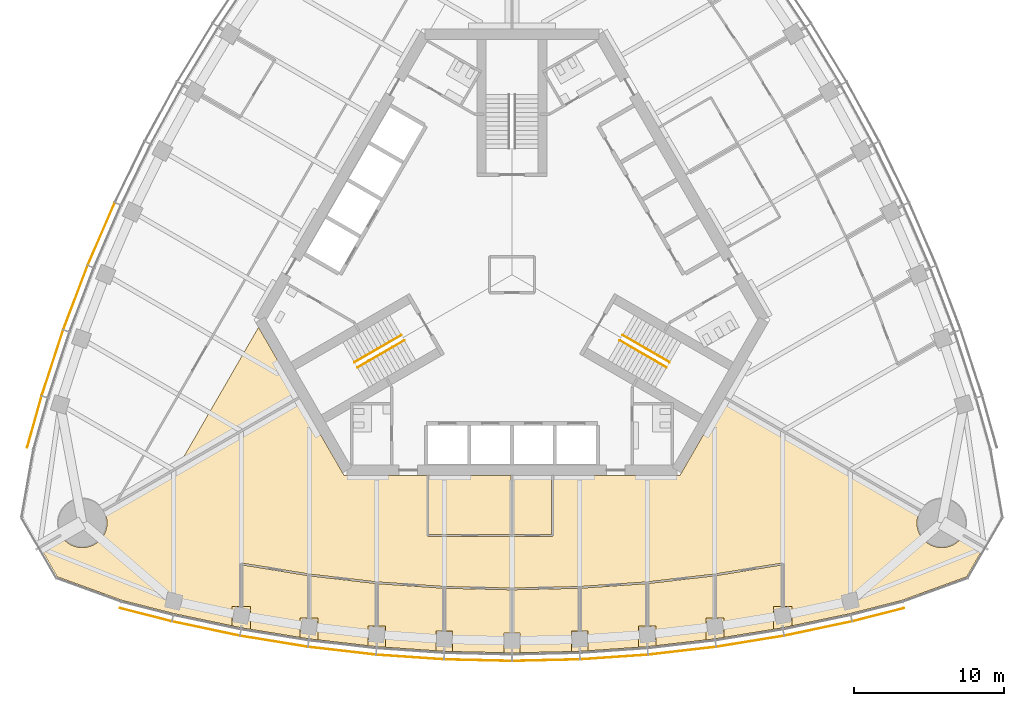
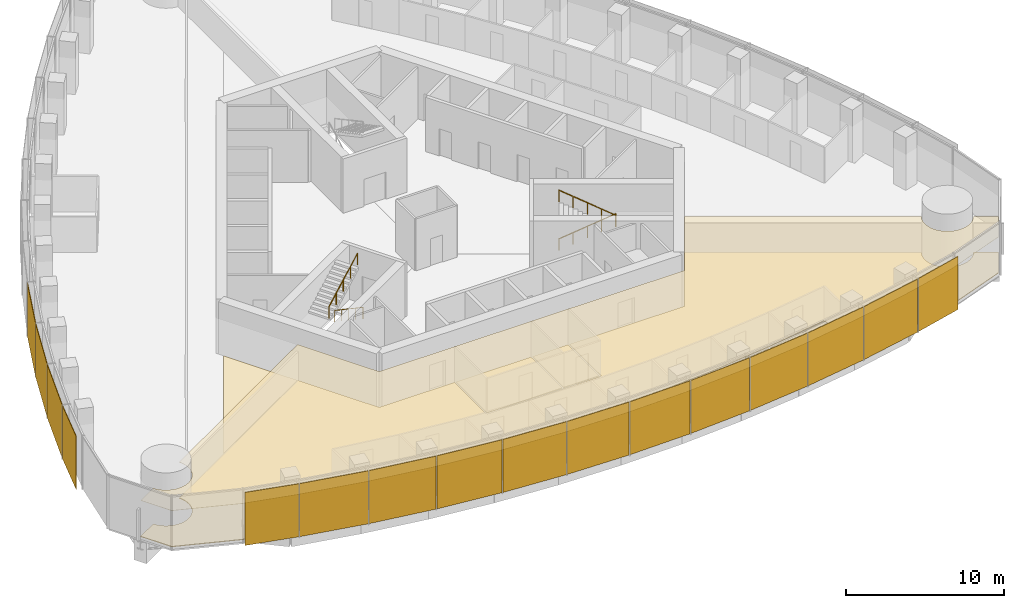
# One storey, part 16 of 20: 16 shading devices, 13 coverings, 4 railings.
"""IFC4 building model written with IfcOpenShell, lengths in metres."""

from ifc_helpers import new_model, si_unit, direction, frame, origin, origin_2d, place, context, subcontext, project, spatial, polyline, rectangle, circle, outline, extrude, material, layer, layer_set, type_object, element, save


model = new_model("IFC4")

# Units and contexts
model_context = context("Model", 3, precision=1e-05, world=origin(), true_north=direction((0.0, 1.0)))
body_context = subcontext(model_context, "Body", "Model", "MODEL_VIEW")
ifc_project = project(units=[si_unit("LENGTHUNIT", "METRE"), si_unit("AREAUNIT", "SQUARE_METRE"), si_unit("VOLUMEUNIT", "CUBIC_METRE"), si_unit("PLANEANGLEUNIT", "RADIAN"), si_unit("MASSUNIT", "GRAM", prefix="KILO")], contexts=[model_context])

# Site, building, storey
site_placement = place(None, origin())
site = spatial("IfcSite", under=ifc_project, at=site_placement, CompositionType="ELEMENT")
building_placement = place(site_placement, origin())
building = spatial("IfcBuilding", under=site, at=building_placement, Name="Trefoil Bronze Tower", CompositionType="ELEMENT")
storey_placement = place(building_placement, frame((0.0, 0.0, 231.699951171875)))
storey = spatial("IfcBuildingStorey", under=building, at=storey_placement, Name="L53", CompositionType="ELEMENT", Elevation=231.699951171875)

# Shading devices
ifc_material_1 = material(Name="Perforated bronze sheet", Category="bronze")
ifc_layer_1 = layer(ifc_material_1, 0.0400390625)
ifc_layer_set_1 = layer_set([ifc_layer_1], Name="Bronze solar screen panel")
shading_device_type = type_object("IfcShadingDeviceType", Name="Bronze solar screen panel", PredefinedType="SHUTTER", material=ifc_layer_set_1)
shading_device_1_placement = place(storey_placement, frame((-24.360107421875, -22.614501953125, 0.050048828125), z_axis=(0.0, 0.0, 1.0), x_axis=(0.968934035393, -0.247319297786, 0.0)))
element("IfcShadingDevice", 1, at=shading_device_1_placement, inside=storey, type_object=shading_device_type, Name="Solar screen CW-A L53 F1 bay 1", PredefinedType="SHUTTER", context=body_context, shape_type="SweptSolid", body=[
    extrude(rectangle(XDim=3.53369140625, YDim=0.0400390625, at=origin_2d()), origin(), (0.0, 0.0, 1.0), 4.10009765625),
])
shading_device_2_placement = place(storey_placement, frame((-20.361572265625, -23.535888671875, 0.050048828125), z_axis=(0.0, 0.0, 1.0), x_axis=(0.978394335897, -0.20674748725, 0.0)))
element("IfcShadingDevice", 2, at=shading_device_2_placement, inside=storey, type_object=shading_device_type, Name="Solar screen CW-A L53 F1 bay 2", PredefinedType="SHUTTER", context=body_context, shape_type="SweptSolid", body=[
    extrude(rectangle(XDim=4.5693359375, YDim=0.0400390625, at=origin_2d()), origin(), (0.0, 0.0, 1.0), 4.10009765625),
])
shading_device_3_placement = place(storey_placement, frame((-15.8369140625, -24.382568359375, 0.050048828125), z_axis=(0.0, 0.0, 1.0), x_axis=(0.986986549528, -0.160802832848, 0.0)))
element("IfcShadingDevice", 3, at=shading_device_3_placement, inside=storey, type_object=shading_device_type, Name="Solar screen CW-A L53 F1 bay 3", PredefinedType="SHUTTER", context=body_context, shape_type="SweptSolid", body=[
    extrude(rectangle(XDim=4.529296875, YDim=0.0400390625, at=origin_2d()), origin(), (0.0, 0.0, 1.0), 4.10009765625),
])
shading_device_4_placement = place(storey_placement, frame((-11.31201171875, -25.0126953125, 0.050048828125), z_axis=(0.0, 0.0, 1.0), x_axis=(0.993381831741, -0.114858767043, 0.0)))
element("IfcShadingDevice", 4, at=shading_device_4_placement, inside=storey, type_object=shading_device_type, Name="Solar screen CW-A L53 F1 bay 4", PredefinedType="SHUTTER", context=body_context, shape_type="SweptSolid", body=[
    extrude(rectangle(XDim=4.5, YDim=0.0400390625, at=origin_2d()), origin(), (0.0, 0.0, 1.0), 4.10009765625),
])
shading_device_5_placement = place(storey_placement, frame((-6.787109375, -25.430419921875, 0.050048828125), z_axis=(0.0, 0.0, 1.0), x_axis=(0.99762252804, -0.068915103905, 0.0)))
element("IfcShadingDevice", 5, at=shading_device_5_placement, inside=storey, type_object=shading_device_type, Name="Solar screen CW-A L53 F1 bay 5", PredefinedType="SHUTTER", context=body_context, shape_type="SweptSolid", body=[
    extrude(rectangle(XDim=4.480712890625, YDim=0.0400390625, at=origin_2d()), origin(), (0.0, 0.0, 1.0), 4.10009765625),
])
for number, where, z_axis, x_axis, name in (
    (6, (-2.262451171875, -25.638671875, 0.050048828125), (0.0, 0.0, 1.0), (0.999736116243, -0.022971675577, 0.0), "Solar screen CW-A L53 F1 bay 6"),
    (7, (2.262451171875, -25.638671875, 0.050048828125), (0.0, 0.0, 1.0), (0.999736116243, 0.022971675577, 0.0), "Solar screen CW-A L53 F1 bay 7"),
):
    element("IfcShadingDevice", number, at=place(storey_placement, frame(where, z_axis=z_axis, x_axis=x_axis)), inside=storey, type_object=shading_device_type, Name=name, PredefinedType="SHUTTER", context=body_context, shape_type="SweptSolid", body=[
        extrude(rectangle(XDim=4.47119140625, YDim=0.0400390625, at=origin_2d()), origin(), (0.0, 0.0, 1.0), 4.10009765625),
    ])
shading_device_6_placement = place(storey_placement, frame((6.787109375, -25.430419921875, 0.050048828125), z_axis=(0.0, 0.0, 1.0), x_axis=(0.99762252804, 0.068915103905, 0.0)))
element("IfcShadingDevice", 8, at=shading_device_6_placement, inside=storey, type_object=shading_device_type, Name="Solar screen CW-A L53 F1 bay 8", PredefinedType="SHUTTER", context=body_context, shape_type="SweptSolid", body=[
    extrude(rectangle(XDim=4.480712890625, YDim=0.0400390625, at=origin_2d()), origin(), (0.0, 0.0, 1.0), 4.10009765625),
])
shading_device_7_placement = place(storey_placement, frame((11.31201171875, -25.0126953125, 0.050048828125), z_axis=(0.0, 0.0, 1.0), x_axis=(0.993381831741, 0.114858767043, 0.0)))
element("IfcShadingDevice", 9, at=shading_device_7_placement, inside=storey, type_object=shading_device_type, Name="Solar screen CW-A L53 F1 bay 9", PredefinedType="SHUTTER", context=body_context, shape_type="SweptSolid", body=[
    extrude(rectangle(XDim=4.5, YDim=0.0400390625, at=origin_2d()), origin(), (0.0, 0.0, 1.0), 4.10009765625),
])
shading_device_8_placement = place(storey_placement, frame((15.8369140625, -24.382568359375, 0.050048828125), z_axis=(0.0, 0.0, 1.0), x_axis=(0.986986549528, 0.160802832848, 0.0)))
element("IfcShadingDevice", 10, at=shading_device_8_placement, inside=storey, type_object=shading_device_type, Name="Solar screen CW-A L53 F1 bay 10", PredefinedType="SHUTTER", context=body_context, shape_type="SweptSolid", body=[
    extrude(rectangle(XDim=4.529296875, YDim=0.0400390625, at=origin_2d()), origin(), (0.0, 0.0, 1.0), 4.10009765625),
])
shading_device_9_placement = place(storey_placement, frame((20.361572265625, -23.535888671875, 0.050048828125), z_axis=(0.0, 0.0, 1.0), x_axis=(0.978394335897, 0.20674748725, 0.0)))
element("IfcShadingDevice", 11, at=shading_device_9_placement, inside=storey, type_object=shading_device_type, Name="Solar screen CW-A L53 F1 bay 11", PredefinedType="SHUTTER", context=body_context, shape_type="SweptSolid", body=[
    extrude(rectangle(XDim=4.5693359375, YDim=0.0400390625, at=origin_2d()), origin(), (0.0, 0.0, 1.0), 4.10009765625),
])
shading_device_10_placement = place(storey_placement, frame((24.360107421875, -22.614501953125, 0.050048828125), z_axis=(0.0, 0.0, 1.0), x_axis=(0.968934035393, 0.247319297786, 0.0)))
element("IfcShadingDevice", 12, at=shading_device_10_placement, inside=storey, type_object=shading_device_type, Name="Solar screen CW-A L53 F1 bay 12", PredefinedType="SHUTTER", context=body_context, shape_type="SweptSolid", body=[
    extrude(rectangle(XDim=3.53369140625, YDim=0.0400390625, at=origin_2d()), origin(), (0.0, 0.0, 1.0), 4.10009765625),
])
shading_device_11_placement = place(storey_placement, frame((-27.317626953125, 2.709716796875, 0.050048828125), z_axis=(0.0, 0.0, 1.0), x_axis=(-0.397220305764, -0.917723285467, 0.0)))
element("IfcShadingDevice", 13, at=shading_device_11_placement, inside=storey, type_object=shading_device_type, Name="Solar screen CW-A L53 F3 bay 9", PredefinedType="SHUTTER", context=body_context, shape_type="SweptSolid", body=[
    extrude(rectangle(XDim=4.5, YDim=0.0400390625, at=origin_2d()), origin(), (0.0, 0.0, 1.0), 4.10009765625),
])
shading_device_12_placement = place(storey_placement, frame((-29.0341796875, -1.52392578125, 0.050048828125), z_axis=(0.0, 0.0, 1.0), x_axis=(-0.354233936517, -0.935156841508, 0.0)))
element("IfcShadingDevice", 14, at=shading_device_12_placement, inside=storey, type_object=shading_device_type, Name="Solar screen CW-A L53 F3 bay 10", PredefinedType="SHUTTER", context=body_context, shape_type="SweptSolid", body=[
    extrude(rectangle(XDim=4.529296875, YDim=0.0400390625, at=origin_2d()), origin(), (0.0, 0.0, 1.0), 4.10009765625),
])
shading_device_13_placement = place(storey_placement, frame((-30.5634765625, -5.86572265625, 0.050048828125), z_axis=(0.0, 0.0, 1.0), x_axis=(-0.310148591821, -0.950688093431, 0.0)))
element("IfcShadingDevice", 15, at=shading_device_13_placement, inside=storey, type_object=shading_device_type, Name="Solar screen CW-A L53 F3 bay 11", PredefinedType="SHUTTER", context=body_context, shape_type="SweptSolid", body=[
    extrude(rectangle(XDim=4.5693359375, YDim=0.0400390625, at=origin_2d()), origin(), (0.0, 0.0, 1.0), 4.10009765625),
])
shading_device_14_placement = place(storey_placement, frame((-31.764892578125, -9.7890625, 0.050048828125), z_axis=(0.0, 0.0, 1.0), x_axis=(-0.270282222968, -0.962781138134, 0.0)))
element("IfcShadingDevice", 16, at=shading_device_14_placement, inside=storey, type_object=shading_device_type, Name="Solar screen CW-A L53 F3 bay 12", PredefinedType="SHUTTER", context=body_context, shape_type="SweptSolid", body=[
    extrude(rectangle(XDim=3.53369140625, YDim=0.0400390625, at=origin_2d()), origin(), (0.0, 0.0, 1.0), 4.10009765625),
])

# Railings
ifc_material_2 = material(Name="Steel handrail", Category="steel")
railing_type = type_object("IfcRailingType", Name="Handrail 900", PredefinedType="HANDRAIL", material=ifc_material_2)
railing_1_placement = place(storey_placement, frame((7.365966796875, -4.021728515625, 0.16162109375)))
element("IfcRailing", 17, at=railing_1_placement, inside=storey, type_object=railing_type, Name="Handrail ST1 flight 1 L53", PredefinedType="HANDRAIL", context=body_context, shape_type="SweptSolid", body=[
    extrude(circle(Radius=0.02392578125, at=origin_2d()), frame((0.0, 0.0, 0.8759765625), z_axis=(0.76250339821, -0.440245697338, 0.474101564745), x_axis=(0.500012057535, 0.866018442252, 0.0)), (0.0, 0.0, 1.0), 4.088623046875),
    extrude(circle(Radius=0.02099609375, at=origin_2d()), origin(), (0.0, 0.0, 1.0), 0.851806640625),
    extrude(circle(Radius=0.02099609375, at=origin_2d()), frame((0.779296875, -0.449951171875, 0.484619140625)), (0.0, 0.0, 1.0), 0.851806640625),
    extrude(circle(Radius=0.02099609375, at=origin_2d()), frame((1.558837890625, -0.89990234375, 0.96923828125)), (0.0, 0.0, 1.0), 0.851806640625),
    extrude(circle(Radius=0.02099609375, at=origin_2d()), frame((2.33837890625, -1.35009765625, 1.453857421875)), (0.0, 0.0, 1.0), 0.851806640625),
    extrude(circle(Radius=0.02099609375, at=origin_2d()), frame((3.11767578125, -1.800048828125, 1.9384765625)), (0.0, 0.0, 1.0), 0.851806640625),
])
railing_2_placement = place(storey_placement, frame((10.28369140625, -6.168212890625, 2.261474609375)))
element("IfcRailing", 18, at=railing_2_placement, inside=storey, type_object=railing_type, Name="Handrail ST1 flight 2 L53", PredefinedType="HANDRAIL", context=body_context, shape_type="SweptSolid", body=[
    extrude(circle(Radius=0.02392578125, at=origin_2d()), frame((0.0, 0.0, 0.8759765625), z_axis=(-0.76250339821, 0.440245697338, 0.474101564745), x_axis=(-0.500012057535, -0.866018442252, 0.0)), (0.0, 0.0, 1.0), 4.088623046875),
    extrude(circle(Radius=0.02099609375, at=origin_2d()), origin(), (0.0, 0.0, 1.0), 0.851806640625),
    extrude(circle(Radius=0.02099609375, at=origin_2d()), frame((-0.779296875, 0.449951171875, 0.484619140625)), (0.0, 0.0, 1.0), 0.851806640625),
    extrude(circle(Radius=0.02099609375, at=origin_2d()), frame((-1.558837890625, 0.89990234375, 0.96923828125)), (0.0, 0.0, 1.0), 0.851806640625),
    extrude(circle(Radius=0.02099609375, at=origin_2d()), frame((-2.33837890625, 1.35009765625, 1.453857421875)), (0.0, 0.0, 1.0), 0.851806640625),
    extrude(circle(Radius=0.02099609375, at=origin_2d()), frame((-3.11767578125, 1.800048828125, 1.9384765625)), (0.0, 0.0, 1.0), 0.851806640625),
])
railing_3_placement = place(storey_placement, frame((-7.166015625, -4.3681640625, 0.16162109375)))
element("IfcRailing", 19, at=railing_3_placement, inside=storey, type_object=railing_type, Name="Handrail ST3 flight 1 L53", PredefinedType="HANDRAIL", context=body_context, shape_type="SweptSolid", body=[
    extrude(circle(Radius=0.02392578125, at=origin_2d()), frame((0.0, 0.0, 0.8759765625), z_axis=(-0.76250339821, -0.440245697338, 0.474101564745), x_axis=(0.500012057535, -0.866018442252, 0.0)), (0.0, 0.0, 1.0), 4.088623046875),
    extrude(circle(Radius=0.02099609375, at=origin_2d()), origin(), (0.0, 0.0, 1.0), 0.851806640625),
    extrude(circle(Radius=0.02099609375, at=origin_2d()), frame((-0.779296875, -0.449951171875, 0.484619140625)), (0.0, 0.0, 1.0), 0.851806640625),
    extrude(circle(Radius=0.02099609375, at=origin_2d()), frame((-1.558837890625, -0.89990234375, 0.96923828125)), (0.0, 0.0, 1.0), 0.851806640625),
    extrude(circle(Radius=0.02099609375, at=origin_2d()), frame((-2.33837890625, -1.35009765625, 1.453857421875)), (0.0, 0.0, 1.0), 0.851806640625),
    extrude(circle(Radius=0.02099609375, at=origin_2d()), frame((-3.11767578125, -1.800048828125, 1.9384765625)), (0.0, 0.0, 1.0), 0.851806640625),
])
railing_4_placement = place(storey_placement, frame((-10.483642578125, -5.82177734375, 2.261474609375)))
element("IfcRailing", 20, at=railing_4_placement, inside=storey, type_object=railing_type, Name="Handrail ST3 flight 2 L53", PredefinedType="HANDRAIL", context=body_context, shape_type="SweptSolid", body=[
    extrude(circle(Radius=0.02392578125, at=origin_2d()), frame((0.0, 0.0, 0.8759765625), z_axis=(0.76250339821, 0.440245697338, 0.474101564745), x_axis=(-0.500012057535, 0.866018442252, 0.0)), (0.0, 0.0, 1.0), 4.088623046875),
    extrude(circle(Radius=0.02099609375, at=origin_2d()), origin(), (0.0, 0.0, 1.0), 0.851806640625),
    extrude(circle(Radius=0.02099609375, at=origin_2d()), frame((0.779296875, 0.449951171875, 0.484619140625)), (0.0, 0.0, 1.0), 0.851806640625),
    extrude(circle(Radius=0.02099609375, at=origin_2d()), frame((1.558837890625, 0.89990234375, 0.96923828125)), (0.0, 0.0, 1.0), 0.851806640625),
    extrude(circle(Radius=0.02099609375, at=origin_2d()), frame((2.33837890625, 1.35009765625, 1.453857421875)), (0.0, 0.0, 1.0), 0.851806640625),
    extrude(circle(Radius=0.02099609375, at=origin_2d()), frame((3.11767578125, 1.800048828125, 1.9384765625)), (0.0, 0.0, 1.0), 0.851806640625),
])

# Coverings
ifc_material_3 = material(Name="Acoustic ceiling panels", Category="mineral fibre")
ifc_layer_2 = layer(ifc_material_3, 0.02001953125)
ifc_layer_set_2 = layer_set([ifc_layer_2], Name="Office ceiling 20")
covering_type_1 = type_object("IfcCoveringType", Name="Office ceiling 20", PredefinedType="CEILING", material=ifc_layer_set_2)
covering_1_placement = place(storey_placement, frame((0.0, 0.0, 2.900146484375)))
element("IfcCovering", 21, at=covering_1_placement, inside=storey, type_object=covering_type_1, Name="Ceiling L53 Open-plan office F1", PredefinedType="CEILING", context=body_context, shape_type="SweptSolid", body=[
    extrude(outline(polyline([(-29.95068359375, -17.416748046875), (-29.904052734375, -17.48291015625), (-29.854248046875, -17.546630859375), (-29.801513671875, -17.608154296875), (-29.74560546875, -17.666748046875), (-29.68701171875, -17.72265625), (-29.62548828125, -17.775390625), (-29.561767578125, -17.8251953125), (-29.49560546875, -17.871826171875), (-29.427001953125, -17.915283203125), (-29.356689453125, -17.955078125), (-29.2841796875, -17.99169921875), (-29.210205078125, -18.0244140625), (-29.134765625, -18.053466796875), (-29.057861328125, -18.0791015625), (-28.979736328125, -18.1005859375), (-28.900634765625, -18.118408203125), (-28.82080078125, -18.132080078125), (-28.740478515625, -18.14208984375), (-28.659912109375, -18.14794921875), (-28.578857421875, -18.14990234375), (-28.497802734375, -18.14794921875), (-28.4169921875, -18.14208984375), (-28.336669921875, -18.132080078125), (-28.2568359375, -18.118408203125), (-28.177978515625, -18.1005859375), (-28.099853515625, -18.0791015625), (-28.02294921875, -18.053466796875), (-27.947509765625, -18.0244140625), (-27.873291015625, -17.99169921875), (-27.801025390625, -17.955078125), (-27.730712890625, -17.915283203125), (-27.662109375, -17.871826171875), (-27.595947265625, -17.8251953125), (-27.531982421875, -17.775390625), (-27.470703125, -17.72265625), (-27.412109375, -17.666748046875), (-27.356201171875, -17.608154296875), (-27.303466796875, -17.546630859375), (-27.25341796875, -17.48291015625), (-27.206787109375, -17.416748046875), (-27.16357421875, -17.348388671875), (-27.123779296875, -17.27783203125), (-27.08740234375, -17.20556640625), (-27.054443359375, -17.13134765625), (-27.025390625, -17.055908203125), (-27.0, -16.97900390625), (-26.978271484375, -16.90087890625), (-26.96044921875, -16.822021484375), (-26.94677734375, -16.7421875), (-26.936767578125, -16.66162109375), (-26.930908203125, -16.5810546875), (-26.9287109375, -16.5), (-26.930908203125, -16.4189453125), (-26.936767578125, -16.33837890625), (-26.94677734375, -16.2578125), (-26.96044921875, -16.177978515625), (-26.978271484375, -16.09912109375), (-27.0, -16.02099609375), (-27.025390625, -15.944091796875), (-27.054443359375, -15.86865234375), (-27.08740234375, -15.79443359375), (-27.123779296875, -15.72216796875), (-27.14453125, -15.685546875), (-14.156494140625, -8.180419921875), (-11.171630859375, -13.35009765625), (11.171630859375, -13.35009765625), (14.156494140625, -8.180419921875), (27.14453125, -15.685546875), (27.123779296875, -15.72216796875), (27.08740234375, -15.79443359375), (27.054443359375, -15.86865234375), (27.025390625, -15.944091796875), (27.0, -16.02099609375), (26.978271484375, -16.09912109375), (26.96044921875, -16.177978515625), (26.94677734375, -16.2578125), (26.936767578125, -16.33837890625), (26.930908203125, -16.4189453125), (26.9287109375, -16.5), (26.930908203125, -16.5810546875), (26.936767578125, -16.66162109375), (26.94677734375, -16.7421875), (26.96044921875, -16.822021484375), (26.978271484375, -16.90087890625), (27.0, -16.97900390625), (27.025390625, -17.055908203125), (27.054443359375, -17.13134765625), (27.08740234375, -17.20556640625), (27.123779296875, -17.27783203125), (27.16357421875, -17.348388671875), (27.206787109375, -17.416748046875), (27.25341796875, -17.48291015625), (27.303466796875, -17.546630859375), (27.356201171875, -17.608154296875), (27.412109375, -17.666748046875), (27.470703125, -17.72265625), (27.531982421875, -17.775390625), (27.595947265625, -17.8251953125), (27.662109375, -17.871826171875), (27.730712890625, -17.915283203125), (27.801025390625, -17.955078125), (27.873291015625, -17.99169921875), (27.947509765625, -18.0244140625), (28.02294921875, -18.053466796875), (28.099853515625, -18.0791015625), (28.177978515625, -18.1005859375), (28.2568359375, -18.118408203125), (28.336669921875, -18.132080078125), (28.4169921875, -18.14208984375), (28.497802734375, -18.14794921875), (28.578857421875, -18.14990234375), (28.659912109375, -18.14794921875), (28.740478515625, -18.14208984375), (28.82080078125, -18.132080078125), (28.900634765625, -18.118408203125), (28.979736328125, -18.1005859375), (29.057861328125, -18.0791015625), (29.134765625, -18.053466796875), (29.210205078125, -18.0244140625), (29.2841796875, -17.99169921875), (29.356689453125, -17.955078125), (29.427001953125, -17.915283203125), (29.49560546875, -17.871826171875), (29.561767578125, -17.8251953125), (29.62548828125, -17.775390625), (29.68701171875, -17.72265625), (29.74560546875, -17.666748046875), (29.801513671875, -17.608154296875), (29.854248046875, -17.546630859375), (29.904052734375, -17.48291015625), (29.95068359375, -17.416748046875), (30.0009765625, -17.336181640625), (31.37158203125, -18.1279296875), (30.23828125, -20.0908203125), (25.952880859375, -21.650634765625), (22.5, -22.531982421875), (18.0, -23.48291015625), (13.5, -24.216064453125), (9.0, -24.736328125), (4.5, -25.047119140625), (0.0, -25.150634765625), (-4.5, -25.047119140625), (-9.0, -24.736328125), (-13.5, -24.216064453125), (-18.0, -23.48291015625), (-22.5, -22.531982421875), (-25.952880859375, -21.650634765625), (-30.23828125, -20.0908203125), (-31.37158203125, -18.1279296875), (-30.0009765625, -17.336181640625), (-29.95068359375, -17.416748046875)])), origin(), (0.0, 0.0, 1.0), 0.02001953125),
])
ifc_material_4 = material(Name="Raised access floor panels", Category="steel")
ifc_layer_3 = layer(ifc_material_4, 0.050048828125)
ifc_layer_set_3 = layer_set([ifc_layer_3], Name="Raised access floor 150")
covering_type_2 = type_object("IfcCoveringType", Name="Raised access floor 150", PredefinedType="FLOORING", material=ifc_layer_set_3)
covering_2_placement = place(storey_placement, frame((0.0, 0.0, 0.10009765625)))
element("IfcCovering", 22, at=covering_2_placement, inside=storey, type_object=covering_type_2, Name="Raised floor L53 Meeting room F1", PredefinedType="FLOORING", context=body_context, shape_type="SweptSolid", body=[
    extrude(outline(polyline([(-0.06005859375, -13.35009765625), (-0.06005859375, -17.2900390625), (-5.5400390625, -17.2900390625), (-5.5400390625, -13.35009765625), (-0.06005859375, -13.35009765625)])), origin(), (0.0, 0.0, 1.0), 0.050048828125),
])
covering_3_placement = place(storey_placement, frame((0.0, 0.0, 0.10009765625)))
element("IfcCovering", 23, at=covering_3_placement, inside=storey, type_object=covering_type_2, Name="Raised floor L53 Pantry F1", PredefinedType="FLOORING", context=body_context, shape_type="SweptSolid", body=[
    extrude(outline(polyline([(2.639892578125, -13.35009765625), (2.639892578125, -17.2900390625), (0.06005859375, -17.2900390625), (0.06005859375, -13.35009765625), (2.639892578125, -13.35009765625)])), origin(), (0.0, 0.0, 1.0), 0.050048828125),
])
covering_4_placement = place(storey_placement, frame((0.0, 0.0, 0.10009765625)))
element("IfcCovering", 24, at=covering_4_placement, inside=storey, type_object=covering_type_2, Name="Raised floor L53 Office F1", PredefinedType="FLOORING", context=body_context, shape_type="SweptSolid", body=[
    extrude(outline(polyline([(-17.93994140625, -22.055419921875), (-17.93994140625, -19.303466796875), (-13.56005859375, -20.01708984375), (-13.56005859375, -22.81494140625), (-14.093505859375, -22.81494140625), (-14.093505859375, -24.119384765625), (-17.38623046875, -23.5830078125), (-17.38623046875, -22.055419921875), (-17.93994140625, -22.055419921875)])), origin(), (0.0, 0.0, 1.0), 0.050048828125),
])
covering_5_placement = place(storey_placement, frame((0.0, 0.0, 0.10009765625)))
element("IfcCovering", 25, at=covering_5_placement, inside=storey, type_object=covering_type_2, Name="Raised floor L53 Office F1", PredefinedType="FLOORING", context=body_context, shape_type="SweptSolid", body=[
    extrude(outline(polyline([(-13.43994140625, -22.81494140625), (-13.43994140625, -20.033447265625), (-9.06005859375, -20.539794921875), (-9.06005859375, -23.36083984375), (-9.572021484375, -23.36083984375), (-9.572021484375, -24.670166015625), (-12.906494140625, -24.28466796875), (-12.906494140625, -22.81494140625), (-13.43994140625, -22.81494140625)])), origin(), (0.0, 0.0, 1.0), 0.050048828125),
])
covering_6_placement = place(storey_placement, frame((0.0, 0.0, 0.10009765625)))
element("IfcCovering", 26, at=covering_6_placement, inside=storey, type_object=covering_type_2, Name="Raised floor L53 Office F1", PredefinedType="FLOORING", context=body_context, shape_type="SweptSolid", body=[
    extrude(outline(polyline([(-8.93994140625, -23.36083984375), (-8.93994140625, -20.55078125), (-4.56005859375, -20.853271484375), (-4.56005859375, -23.69091796875), (-4.5, -23.69091796875), (-4.5, -23.69677734375), (-5.049560546875, -23.69677734375), (-5.049560546875, -25.00927734375), (-8.427978515625, -24.77587890625), (-8.427978515625, -23.36083984375), (-8.93994140625, -23.36083984375)])), origin(), (0.0, 0.0, 1.0), 0.050048828125),
])
covering_7_placement = place(storey_placement, frame((0.0, 0.0, 0.10009765625)))
element("IfcCovering", 27, at=covering_7_placement, inside=storey, type_object=covering_type_2, Name="Raised floor L53 Office F1", PredefinedType="FLOORING", context=body_context, shape_type="SweptSolid", body=[
    extrude(outline(polyline([(-4.5, -23.69091796875), (-4.43994140625, -23.69091796875), (-4.43994140625, -20.858642578125), (-0.06005859375, -20.959228515625), (-0.06005859375, -23.795654296875), (0.0, -23.795654296875), (0.0, -23.82470703125), (-0.52587890625, -23.82470703125), (-0.52587890625, -25.138427734375), (-3.950439453125, -25.059814453125), (-3.950439453125, -23.69677734375), (-4.5, -23.69677734375), (-4.5, -23.69091796875)])), origin(), (0.0, 0.0, 1.0), 0.050048828125),
])
covering_8_placement = place(storey_placement, frame((0.0, 0.0, 0.10009765625)))
element("IfcCovering", 28, at=covering_8_placement, inside=storey, type_object=covering_type_2, Name="Raised floor L53 Office F1", PredefinedType="FLOORING", context=body_context, shape_type="SweptSolid", body=[
    extrude(outline(polyline([(0.0, -23.795654296875), (0.06005859375, -23.795654296875), (0.06005859375, -20.959228515625), (4.43994140625, -20.858642578125), (4.43994140625, -23.69091796875), (4.5, -23.69091796875), (4.5, -23.69677734375), (3.950439453125, -23.69677734375), (3.950439453125, -25.059814453125), (0.52587890625, -25.138427734375), (0.52587890625, -23.82470703125), (0.0, -23.82470703125), (0.0, -23.795654296875)])), origin(), (0.0, 0.0, 1.0), 0.050048828125),
])
covering_9_placement = place(storey_placement, frame((0.0, 0.0, 0.10009765625)))
element("IfcCovering", 29, at=covering_9_placement, inside=storey, type_object=covering_type_2, Name="Raised floor L53 Office F1", PredefinedType="FLOORING", context=body_context, shape_type="SweptSolid", body=[
    extrude(outline(polyline([(4.5, -23.69091796875), (4.56005859375, -23.69091796875), (4.56005859375, -20.853271484375), (8.93994140625, -20.55078125), (8.93994140625, -23.36083984375), (8.427978515625, -23.36083984375), (8.427978515625, -24.77587890625), (5.049560546875, -25.00927734375), (5.049560546875, -23.69677734375), (4.5, -23.69677734375), (4.5, -23.69091796875)])), origin(), (0.0, 0.0, 1.0), 0.050048828125),
])
covering_10_placement = place(storey_placement, frame((0.0, 0.0, 0.10009765625)))
element("IfcCovering", 30, at=covering_10_placement, inside=storey, type_object=covering_type_2, Name="Raised floor L53 Office F1", PredefinedType="FLOORING", context=body_context, shape_type="SweptSolid", body=[
    extrude(outline(polyline([(9.06005859375, -20.539794921875), (13.43994140625, -20.033447265625), (13.43994140625, -22.81494140625), (12.906494140625, -22.81494140625), (12.906494140625, -24.28466796875), (9.572021484375, -24.670166015625), (9.572021484375, -23.36083984375), (9.06005859375, -23.36083984375), (9.06005859375, -20.539794921875)])), origin(), (0.0, 0.0, 1.0), 0.050048828125),
])
covering_11_placement = place(storey_placement, frame((0.0, 0.0, 0.10009765625)))
element("IfcCovering", 31, at=covering_11_placement, inside=storey, type_object=covering_type_2, Name="Raised floor L53 Office F1", PredefinedType="FLOORING", context=body_context, shape_type="SweptSolid", body=[
    extrude(outline(polyline([(13.56005859375, -20.01708984375), (17.93994140625, -19.303466796875), (17.93994140625, -22.055419921875), (17.38623046875, -22.055419921875), (17.38623046875, -23.5830078125), (14.093505859375, -24.119384765625), (14.093505859375, -22.81494140625), (13.56005859375, -22.81494140625), (13.56005859375, -20.01708984375)])), origin(), (0.0, 0.0, 1.0), 0.050048828125),
])
covering_12_placement = place(storey_placement, frame((0.0, 0.0, 0.10009765625)))
element("IfcCovering", 32, at=covering_12_placement, inside=storey, type_object=covering_type_2, Name="Raised floor L53 Open-plan office F1", PredefinedType="FLOORING", context=body_context, shape_type="SweptSolid", body=[
    extrude(outline(polyline([(-14.156494140625, -8.180419921875), (-11.171630859375, -13.35009765625), (-5.659912109375, -13.35009765625), (-5.659912109375, -17.35009765625), (-5.60009765625, -17.35009765625), (-5.60009765625, -17.409912109375), (2.699951171875, -17.409912109375), (2.699951171875, -17.35009765625), (2.760009765625, -17.35009765625), (2.760009765625, -13.35009765625), (11.171630859375, -13.35009765625), (14.156494140625, -8.180419921875), (27.14453125, -15.685546875), (27.123779296875, -15.72216796875), (27.08740234375, -15.79443359375), (27.054443359375, -15.86865234375), (27.025390625, -15.944091796875), (27.0, -16.02099609375), (26.978271484375, -16.09912109375), (26.96044921875, -16.177978515625), (26.94677734375, -16.2578125), (26.936767578125, -16.33837890625), (26.930908203125, -16.4189453125), (26.9287109375, -16.5), (26.930908203125, -16.5810546875), (26.936767578125, -16.66162109375), (26.94677734375, -16.7421875), (26.96044921875, -16.822021484375), (26.978271484375, -16.90087890625), (27.0, -16.97900390625), (27.025390625, -17.055908203125), (27.054443359375, -17.13134765625), (27.08740234375, -17.20556640625), (27.123779296875, -17.27783203125), (27.16357421875, -17.348388671875), (27.206787109375, -17.416748046875), (27.25341796875, -17.48291015625), (27.303466796875, -17.546630859375), (27.356201171875, -17.608154296875), (27.412109375, -17.666748046875), (27.470703125, -17.72265625), (27.531982421875, -17.775390625), (27.595947265625, -17.8251953125), (27.662109375, -17.871826171875), (27.730712890625, -17.915283203125), (27.801025390625, -17.955078125), (27.873291015625, -17.99169921875), (27.947509765625, -18.0244140625), (28.02294921875, -18.053466796875), (28.099853515625, -18.0791015625), (28.177978515625, -18.1005859375), (28.2568359375, -18.118408203125), (28.336669921875, -18.132080078125), (28.4169921875, -18.14208984375), (28.497802734375, -18.14794921875), (28.578857421875, -18.14990234375), (28.659912109375, -18.14794921875), (28.740478515625, -18.14208984375), (28.82080078125, -18.132080078125), (28.900634765625, -18.118408203125), (28.979736328125, -18.1005859375), (29.057861328125, -18.0791015625), (29.134765625, -18.053466796875), (29.210205078125, -18.0244140625), (29.2841796875, -17.99169921875), (29.356689453125, -17.955078125), (29.427001953125, -17.915283203125), (29.49560546875, -17.871826171875), (29.561767578125, -17.8251953125), (29.62548828125, -17.775390625), (29.68701171875, -17.72265625), (29.74560546875, -17.666748046875), (29.801513671875, -17.608154296875), (29.854248046875, -17.546630859375), (29.904052734375, -17.48291015625), (29.95068359375, -17.416748046875), (30.0009765625, -17.336181640625), (31.37158203125, -18.1279296875), (30.23828125, -20.0908203125), (25.952880859375, -21.650634765625), (22.5, -22.531982421875), (18.61376953125, -23.353271484375), (18.61376953125, -22.055419921875), (18.06005859375, -22.055419921875), (18.06005859375, -19.23291015625), (18.0, -19.23291015625), (17.990478515625, -19.173583984375), (13.49169921875, -19.906494140625), (8.994384765625, -20.426513671875), (4.497314453125, -20.7373046875), (0.0, -20.840576171875), (-4.497314453125, -20.7373046875), (-8.994384765625, -20.426513671875), (-13.49169921875, -19.906494140625), (-17.990478515625, -19.173583984375), (-18.0, -19.23291015625), (-18.06005859375, -19.23291015625), (-18.06005859375, -22.055419921875), (-18.61376953125, -22.055419921875), (-18.61376953125, -23.353271484375), (-22.5, -22.531982421875), (-25.952880859375, -21.650634765625), (-30.23828125, -20.0908203125), (-31.37158203125, -18.1279296875), (-30.0009765625, -17.336181640625), (-29.95068359375, -17.416748046875), (-29.904052734375, -17.48291015625), (-29.854248046875, -17.546630859375), (-29.801513671875, -17.608154296875), (-29.74560546875, -17.666748046875), (-29.68701171875, -17.72265625), (-29.62548828125, -17.775390625), (-29.561767578125, -17.8251953125), (-29.49560546875, -17.871826171875), (-29.427001953125, -17.915283203125), (-29.356689453125, -17.955078125), (-29.2841796875, -17.99169921875), (-29.210205078125, -18.0244140625), (-29.134765625, -18.053466796875), (-29.057861328125, -18.0791015625), (-28.979736328125, -18.1005859375), (-28.900634765625, -18.118408203125), (-28.82080078125, -18.132080078125), (-28.740478515625, -18.14208984375), (-28.659912109375, -18.14794921875), (-28.578857421875, -18.14990234375), (-28.497802734375, -18.14794921875), (-28.4169921875, -18.14208984375), (-28.336669921875, -18.132080078125), (-28.2568359375, -18.118408203125), (-28.177978515625, -18.1005859375), (-28.099853515625, -18.0791015625), (-28.02294921875, -18.053466796875), (-27.947509765625, -18.0244140625), (-27.873291015625, -17.99169921875), (-27.801025390625, -17.955078125), (-27.730712890625, -17.915283203125), (-27.662109375, -17.871826171875), (-27.595947265625, -17.8251953125), (-27.531982421875, -17.775390625), (-27.470703125, -17.72265625), (-27.412109375, -17.666748046875), (-27.356201171875, -17.608154296875), (-27.303466796875, -17.546630859375), (-27.25341796875, -17.48291015625), (-27.206787109375, -17.416748046875), (-27.16357421875, -17.348388671875), (-27.123779296875, -17.27783203125), (-27.08740234375, -17.20556640625), (-27.054443359375, -17.13134765625), (-27.025390625, -17.055908203125), (-27.0, -16.97900390625), (-26.978271484375, -16.90087890625), (-26.96044921875, -16.822021484375), (-26.94677734375, -16.7421875), (-26.936767578125, -16.66162109375), (-26.930908203125, -16.5810546875), (-26.9287109375, -16.5), (-26.930908203125, -16.4189453125), (-26.936767578125, -16.33837890625), (-26.94677734375, -16.2578125), (-26.96044921875, -16.177978515625), (-26.978271484375, -16.09912109375), (-27.0, -16.02099609375), (-27.025390625, -15.944091796875), (-27.054443359375, -15.86865234375), (-27.08740234375, -15.79443359375), (-27.123779296875, -15.72216796875), (-27.14453125, -15.685546875), (-14.156494140625, -8.180419921875)])), origin(), (0.0, 0.0, 1.0), 0.050048828125),
])
covering_13_placement = place(storey_placement, frame((0.0, 0.0, 0.10009765625)))
element("IfcCovering", 33, at=covering_13_placement, inside=storey, type_object=covering_type_2, Name="Raised floor L53 Open-plan office F3", PredefinedType="FLOORING", context=body_context, shape_type="SweptSolid", body=[
    extrude(outline(polyline([(-14.16259765625, -8.169677734375), (-22.247314453125, -12.833251953125), (-16.858642578125, -3.5), (-14.16259765625, -8.169677734375)])), origin(), (0.0, 0.0, 1.0), 0.050048828125),
])

save(model, "model.ifc")
